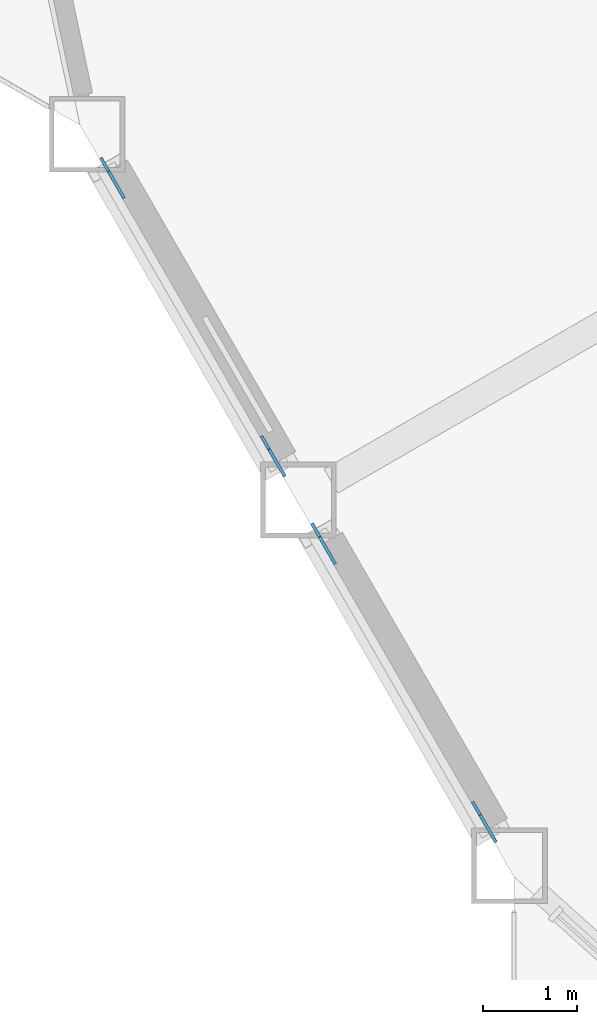
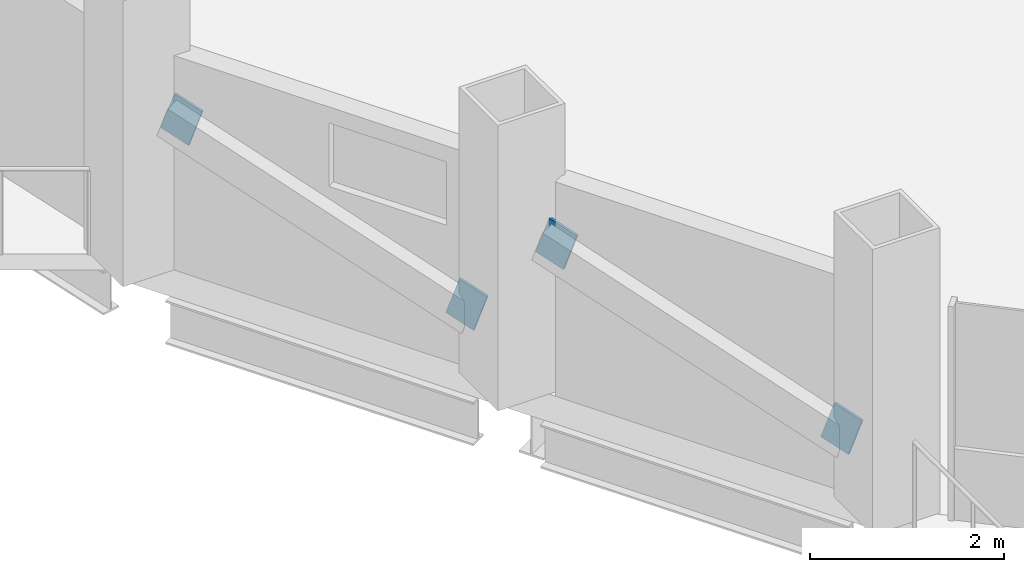
# One storey, part 16 of 23: 4 discrete accessories.
"""IFC4 building model written with IfcOpenShell, lengths in metres."""

from ifc_helpers import new_model, si_unit, direction, frame, origin, origin_2d, place, context, subcontext, project, spatial, rectangle, extrude, material, material_profile, profile_set, type_object, element, save


model = new_model("IFC4")

# Units and contexts
model_context = context("Model", 3, precision=1e-05, world=origin(), true_north=direction((0.0, 1.0)))
body_context = subcontext(model_context, "Body", "Model", "MODEL_VIEW")
ifc_project = project(units=[si_unit("LENGTHUNIT", "METRE"), si_unit("AREAUNIT", "SQUARE_METRE"), si_unit("VOLUMEUNIT", "CUBIC_METRE"), si_unit("PLANEANGLEUNIT", "RADIAN"), si_unit("MASSUNIT", "GRAM", prefix="KILO")], contexts=[model_context])

# Site, building, storey
site_placement = place(None, origin())
site = spatial("IfcSite", under=ifc_project, at=site_placement, CompositionType="ELEMENT")
building_placement = place(site_placement, origin())
building = spatial("IfcBuilding", under=site, at=building_placement, Name="Cormorant Prow Tower", CompositionType="ELEMENT")
storey_placement = place(building_placement, frame((0.0, 0.0, 212.39990234375)))
storey = spatial("IfcBuildingStorey", under=building, at=storey_placement, Name="L47", CompositionType="ELEMENT", Elevation=212.39990234375)

# Discrete accessories
ifc_material = material(Name="Structural steel ASTM A500 Gr C", Category="steel")
ifc_material_profile = material_profile(ifc_material, rectangle(XDim=0.031982421875, YDim=0.506103515625, at=origin_2d()), Name="Gusset plate 32x506")
ifc_profile_set = profile_set([ifc_material_profile], Name="Structural steel ASTM A500 Gr C")
discrete_accessory_type = type_object("IfcDiscreteAccessoryType", Name="Gusset plate 32x506", PredefinedType="BRACKET", material=ifc_profile_set)
discrete_accessory_1_placement = place(storey_placement, frame((-28.40966796875, -15.59228515625, 0.835693359375), z_axis=(0.474172452765, -0.820736730742, -0.318671780755), x_axis=(0.86587923604, 0.500253084543, 0.0)))
element("IfcDiscreteAccessory", 1, at=discrete_accessory_1_placement, inside=storey, type_object=discrete_accessory_type, Name="Gusset plate GP2 L47.WSW00.g0", PredefinedType="BRACKET", context=body_context, shape_type="SweptSolid", body=[
    extrude(rectangle(XDim=0.031982421875, YDim=0.506103515625, at=origin_2d()), origin(), (0.0, 0.0, 1.0), 0.35009765625),
])
discrete_accessory_2_placement = place(storey_placement, frame((-29.943359375, -12.935791015625, 1.865478515625), z_axis=(-0.47373689254, 0.821190460264, 0.318150254784), x_axis=(-0.866197837791, -0.499701216534, 0.0)))
element("IfcDiscreteAccessory", 2, at=discrete_accessory_2_placement, inside=storey, type_object=discrete_accessory_type, Name="Gusset plate GP2 L47.WSW00.g1", PredefinedType="BRACKET", context=body_context, shape_type="SweptSolid", body=[
    extrude(rectangle(XDim=0.031982421875, YDim=0.506103515625, at=origin_2d()), origin(), (0.0, 0.0, 1.0), 0.349853515625),
])
for number, where, z_axis, x_axis, name in (
    (3, (-26.17431640625, -19.463623046875, 0.835693359375), (0.473631655621, -0.821008039272, -0.31877712315), (0.866197837791, 0.499701216534, 0.0), "Gusset plate GP2 L47.WSW01.g0"),
    (4, (-27.7080078125, -16.807373046875, 1.865478515625), (-0.4742777402, 0.820918970906, 0.31804507284), (-0.86587923604, -0.500253084543, 0.0), "Gusset plate GP2 L47.WSW01.g1"),
):
    element("IfcDiscreteAccessory", number, at=place(storey_placement, frame(where, z_axis=z_axis, x_axis=x_axis)), inside=storey, type_object=discrete_accessory_type, Name=name, PredefinedType="BRACKET", context=body_context, shape_type="SweptSolid", body=[
        extrude(rectangle(XDim=0.031982421875, YDim=0.506103515625, at=origin_2d()), origin(), (0.0, 0.0, 1.0), 0.35009765625),
    ])

save(model, "model.ifc")
